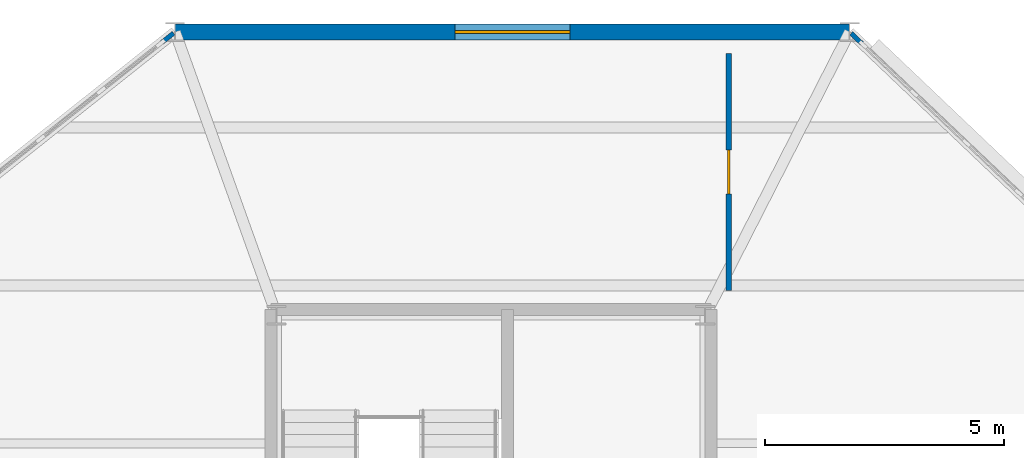
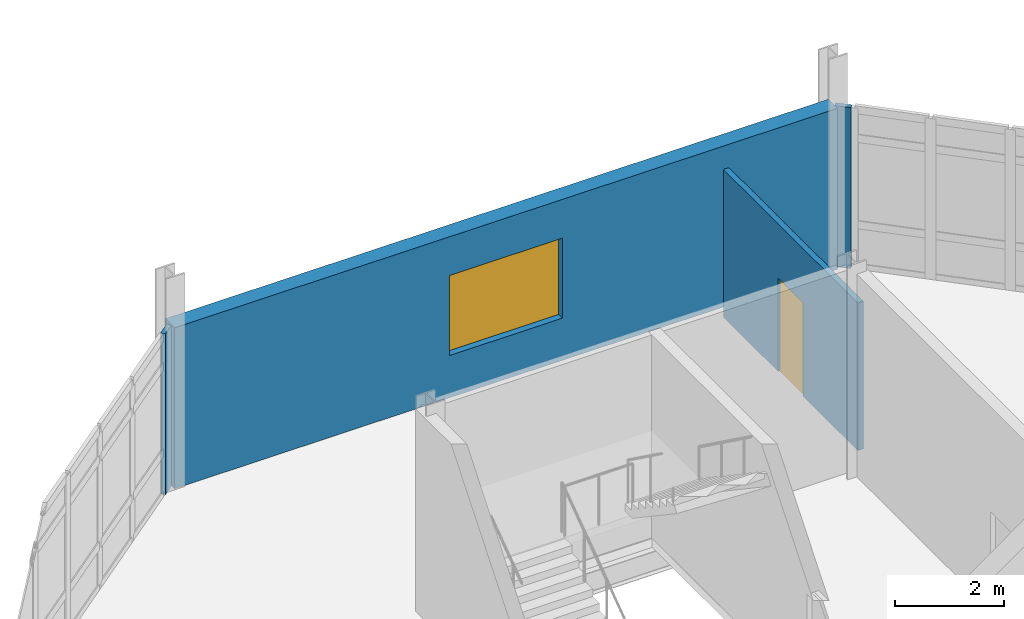
# One storey, part 116 of 134: 4 walls, 1 door, 1 window, 2 openings.
"""IFC4 building model written with IfcOpenShell, lengths in metres."""

from ifc_helpers import new_model, si_unit, direction, frame, frame_2d, origin, place, context, subcontext, project, spatial, rectangle, extrude, material, layer, layer_set, type_object, element, fill, save


model = new_model("IFC4")

# Units and contexts
model_context = context("Model", 3, precision=1e-05, world=origin(), true_north=direction((0.0, 1.0)))
body_context = subcontext(model_context, "Body", "Model", "MODEL_VIEW")
ifc_project = project(units=[si_unit("LENGTHUNIT", "METRE"), si_unit("AREAUNIT", "SQUARE_METRE"), si_unit("VOLUMEUNIT", "CUBIC_METRE"), si_unit("PLANEANGLEUNIT", "RADIAN"), si_unit("MASSUNIT", "GRAM", prefix="KILO")], contexts=[model_context])

# Site, building, storey
site_placement = place(None, origin())
site = spatial("IfcSite", under=ifc_project, at=site_placement, CompositionType="ELEMENT")
building_placement = place(site_placement, origin())
building = spatial("IfcBuilding", under=site, at=building_placement, Name="Tameran Prism Museum", CompositionType="ELEMENT")
storey_placement = place(building_placement, frame((0.0, 0.0, 5.39990234375)))
storey = spatial("IfcBuildingStorey", under=building, at=storey_placement, Name="L01", CompositionType="ELEMENT", Elevation=5.39990234375)

# Walls
ifc_material_1 = material(Name="Precast Concrete N40 (40 MPa)", Category="concrete")
ifc_layer_1 = layer(ifc_material_1, 0.094970703125)
ifc_layer_set_1 = layer_set([ifc_layer_1])
wall_type_1 = type_object("IfcWallType", Name="EW-CLOS-095", PredefinedType="SOLIDWALL", material=ifc_layer_set_1)
wall_1_placement = place(storey_placement, frame((127.530029296875, 111.970947265625, 0.0), z_axis=(0.0, 0.0, 1.0), x_axis=(0.726243974232, -0.687437044311, 0.0)))
element("IfcWall", 1, at=wall_1_placement, inside=storey, type_object=wall_type_1, Name="Facade Corner Closure EW-0171", PredefinedType="SOLIDWALL", context=body_context, shape_type="SweptSolid", body=[
    extrude(rectangle(XDim=0.308349609375, YDim=0.094970703125, at=frame_2d((0.154296875, 0.0))), origin(), (0.0, 0.0, 1.0), 3.6201171875),
])
wall_2_placement = place(storey_placement, frame((113.1259765625, 111.781982421875, 0.0), z_axis=(0.0, 0.0, 1.0), x_axis=(0.781872503851, 0.6234383592, 0.0)))
element("IfcWall", 2, at=wall_2_placement, inside=storey, type_object=wall_type_1, Name="Facade Corner Closure EW-0175", PredefinedType="SOLIDWALL", context=body_context, shape_type="SweptSolid", body=[
    extrude(rectangle(XDim=0.30810546875, YDim=0.094970703125, at=frame_2d((0.154052734375, 0.0))), origin(), (0.0, 0.0, 1.0), 3.6201171875),
])

# Wall, opening, window
ifc_material_2 = material(Name="Precast Concrete N40 (40 MPa)", Category="concrete")
ifc_layer_2 = layer(ifc_material_2, 0.340087890625)
ifc_layer_set_2 = layer_set([ifc_layer_2])
wall_type_2 = type_object("IfcWallType", Name="EW-GAL-340", PredefinedType="SOLIDWALL", material=ifc_layer_set_2)
wall_3_placement = place(storey_placement, frame((113.39990234375, 112.0, 0.0), z_axis=(0.0, 0.0, 1.0), x_axis=(1.0, 0.0, 0.0)))
wall_3 = element("IfcWall", 3, at=wall_3_placement, inside=storey, type_object=wall_type_2, Name="Exterior Fluted Precast Wall EW-0173", PredefinedType="SOLIDWALL", context=body_context, shape_type="SweptSolid", body=[
    extrude(rectangle(XDim=14.10009765625, YDim=0.340087890625, at=frame_2d((7.050048828125, 0.0))), origin(), (0.0, 0.0, 1.0), 3.6201171875),
])
opening_1_placement = place(wall_3_placement, frame((5.85009765625, 0.0, 0.949951171875)))
opening_1 = element("IfcOpeningElement", 4, at=opening_1_placement, cuts=wall_3, Name="Opening W-005", PredefinedType="OPENING", context=body_context, shape_type="SweptSolid", body=[
    extrude(rectangle(XDim=2.39990234375, YDim=1.800048828125, at=frame_2d((1.199951171875, 0.89990234375))), frame((0.0, 0.179931640625, 0.0), z_axis=(0.0, -1.0, 0.0), x_axis=(1.0, 0.0, 0.0)), (0.0, 0.0, 1.0), 0.360107421875),
])
ifc_material_3 = material(Name="Cyclone Laminated Low-E Glass in 6063-T6 Frame", Category="glass")
window_type = type_object("IfcWindowType", Name="WIN-W05", PartitioningType="SINGLE_PANEL", PredefinedType="WINDOW", material=ifc_material_3)
window_placement = place(opening_1_placement, origin())
window = element("IfcWindow", 5, at=window_placement, inside=storey, type_object=window_type, Name="Solar-Shaded Window W-005", OverallHeight=1.800048828125, OverallWidth=2.39990234375, PartitioningType="SINGLE_PANEL", PredefinedType="WINDOW", context=body_context, shape_type="SweptSolid", body=[
    extrude(rectangle(XDim=2.39990234375, YDim=1.800048828125, at=frame_2d((1.199951171875, 0.89990234375))), frame((0.0, 0.030029296875, 0.0), z_axis=(0.0, -1.0, 0.0), x_axis=(1.0, 0.0, 0.0)), (0.0, 0.0, 1.0), 0.06005859375),
])
fill(opening_1, window)

# Wall, opening, door
ifc_material_4 = material(Name="Office Insulated Stud Partition")
ifc_layer_3 = layer(ifc_material_4, 0.1201171875)
ifc_layer_set_3 = layer_set([ifc_layer_3])
wall_type_3 = type_object("IfcWallType", Name="IW-PRT-120", PredefinedType="PARTITIONING", material=ifc_layer_set_3)
wall_4_placement = place(storey_placement, frame((124.971923828125, 106.60009765625, 0.0), z_axis=(0.0, 0.0, 1.0), x_axis=(0.0, 1.0, 0.0)))
wall_4 = element("IfcWall", 6, at=wall_4_placement, inside=storey, type_object=wall_type_3, Name="Internal Partition PT-0102", PredefinedType="PARTITIONING", context=body_context, shape_type="SweptSolid", body=[
    extrude(rectangle(XDim=4.949951171875, YDim=0.1201171875, at=frame_2d((2.47509765625, 0.0))), origin(), (0.0, 0.0, 1.0), 3.320068359375),
])
opening_2_placement = place(wall_4_placement, frame((2.014892578125, 0.0, 0.0)))
opening_2 = element("IfcOpeningElement", 7, at=opening_2_placement, cuts=wall_4, Name="Opening ID-0101", PredefinedType="OPENING", context=body_context, shape_type="SweptSolid", body=[
    extrude(rectangle(XDim=0.919921875, YDim=2.10009765625, at=frame_2d((0.4599609375, 1.050048828125))), frame((0.0, 0.070068359375, 0.0), z_axis=(0.0, -1.0, 0.0), x_axis=(1.0, 0.0, 0.0)), (0.0, 0.0, 1.0), 0.14013671875),
])
ifc_material_5 = material(Name="Acoustic Solid-Core Timber Door", Category="wood")
door_type = type_object("IfcDoorType", Name="DR-INT-092", OperationType="NOTDEFINED", PredefinedType="DOOR", material=ifc_material_5)
door_placement = place(opening_2_placement, origin())
door = element("IfcDoor", 8, at=door_placement, inside=storey, type_object=door_type, Name="Interior Room Door ID-0101", OperationType="SINGLE_SWING_RIGHT", OverallHeight=2.10009765625, OverallWidth=0.919921875, PredefinedType="DOOR", context=body_context, shape_type="SweptSolid", body=[
    extrude(rectangle(XDim=0.919921875, YDim=2.10009765625, at=frame_2d((0.4599609375, 1.050048828125))), frame((0.0, 0.02490234375, 0.0), z_axis=(0.0, -1.0, 0.0), x_axis=(1.0, 0.0, 0.0)), (0.0, 0.0, 1.0), 0.050048828125),
])
fill(opening_2, door)

save(model, "model.ifc")
